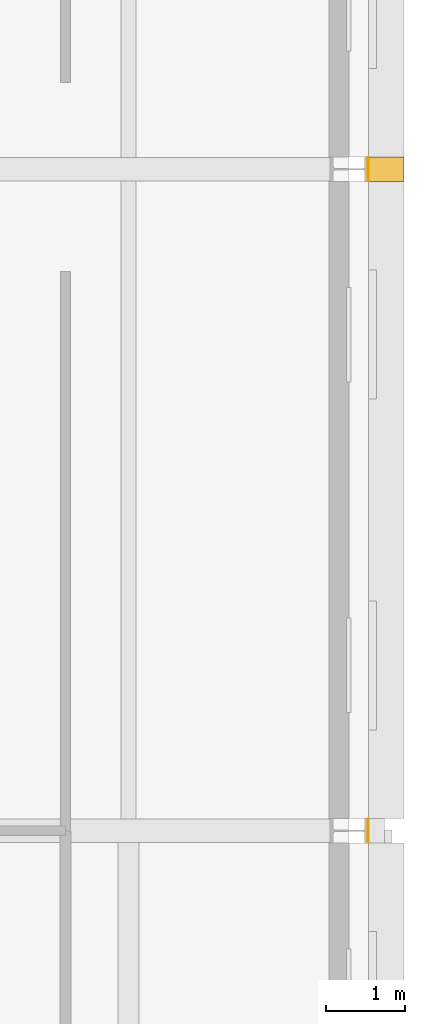
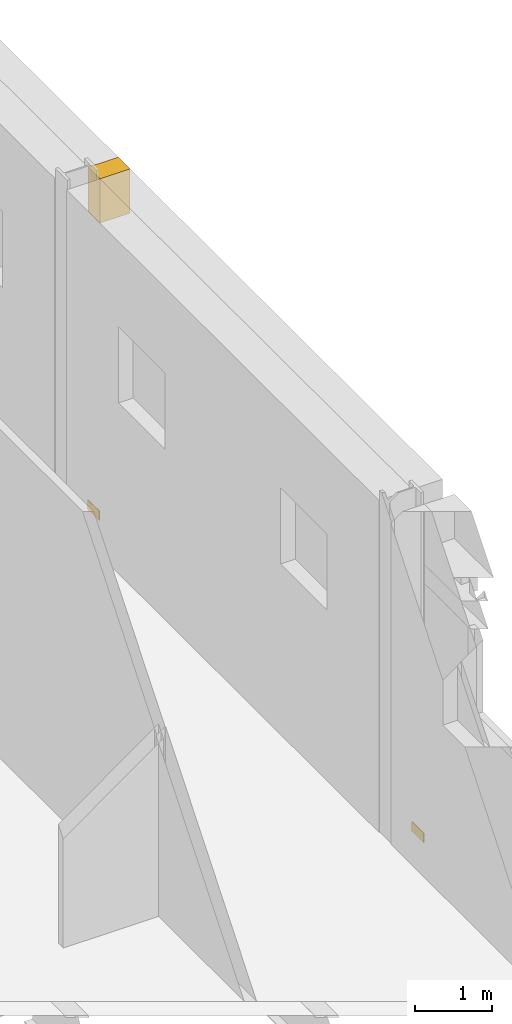
# One storey, part 57 of 57: 3 coverings.
"""IFC4 building model written with IfcOpenShell, lengths in metres."""

from ifc_helpers import new_model, si_unit, direction, frame, origin, origin_2d, place, context, subcontext, project, spatial, rectangle, extrude, material, layer, layer_set, type_object, element, save


model = new_model("IFC4")

# Units and contexts
model_context = context("Model", 3, precision=1e-05, world=origin(), true_north=direction((0.0, 1.0)))
body_context = subcontext(model_context, "Body", "Model", "MODEL_VIEW")
ifc_project = project(units=[si_unit("LENGTHUNIT", "METRE"), si_unit("AREAUNIT", "SQUARE_METRE"), si_unit("VOLUMEUNIT", "CUBIC_METRE"), si_unit("PLANEANGLEUNIT", "RADIAN"), si_unit("MASSUNIT", "GRAM", prefix="KILO")], contexts=[model_context])

# Site, building, storey
site_placement = place(None, origin())
site = spatial("IfcSite", under=ifc_project, at=site_placement, CompositionType="ELEMENT")
building_placement = place(site_placement, origin())
building = spatial("IfcBuilding", under=site, at=building_placement, Name="Galleria Vessillo Department Store", CompositionType="ELEMENT")
storey_placement = place(building_placement, frame((0.0, 0.0, 25.800048828125)))
storey = spatial("IfcBuildingStorey", under=building, at=storey_placement, Name="L05", CompositionType="ELEMENT", Elevation=25.800048828125)

# Coverings
ifc_material_1 = material(Name="Botticino limestone ashlar", Category="masonry")
ifc_layer_1 = layer(ifc_material_1, 0.449951171875)
ifc_layer_set_1 = layer_set([ifc_layer_1], Name="Botticino limestone ashlar")
covering_type_1 = type_object("IfcCoveringType", Name="Limestone cornice 450 x 700", PredefinedType="MOLDING", material=ifc_layer_set_1)
covering_placement = place(storey_placement, frame((118.074951171875, 46.199951171875, 4.5498046875), z_axis=(0.0, 0.0, 1.0), x_axis=(1.0, 0.0, 0.0)))
element("IfcCovering", 1, at=covering_placement, inside=storey, type_object=covering_type_1, Name="Joint block Cornice SE-L05-04", PredefinedType="MOLDING", context=body_context, shape_type="SweptSolid", body=[
    extrude(rectangle(XDim=0.449951171875, YDim=0.306884765625, at=origin_2d()), origin(), (0.0, 0.0, 1.0), 0.699951171875),
])
ifc_material_2 = material(Name="Botticino limestone ashlar", Category="masonry")
ifc_layer_2 = layer(ifc_material_2, 0.14990234375)
ifc_layer_set_2 = layer_set([ifc_layer_2], Name="Botticino limestone ashlar")
covering_type_2 = type_object("IfcCoveringType", Name="Limestone slab-edge fascia 150 mm", PredefinedType="CLADDING", material=ifc_layer_set_2)
for number, where, z_axis, x_axis, name in (
    (2, (117.844482421875, 37.800048828125, -0.14990234375), (0.0, 0.0, 1.0), (1.0, 0.0, 0.0), "Joint block Slab-edge fascia SE-L04-03"),
    (3, (117.844482421875, 46.199951171875, -0.14990234375), (0.0, 0.0, 1.0), (1.0, 0.0, 0.0), "Joint block Slab-edge fascia SE-L04-04"),
):
    element("IfcCovering", number, at=place(storey_placement, frame(where, z_axis=z_axis, x_axis=x_axis)), inside=storey, type_object=covering_type_2, Name=name, PredefinedType="CLADDING", context=body_context, shape_type="SweptSolid", body=[
        extrude(rectangle(XDim=0.010986328125, YDim=0.306884765625, at=origin_2d()), origin(), (0.0, 0.0, 1.0), 0.14990234375),
    ])

save(model, "model.ifc")
